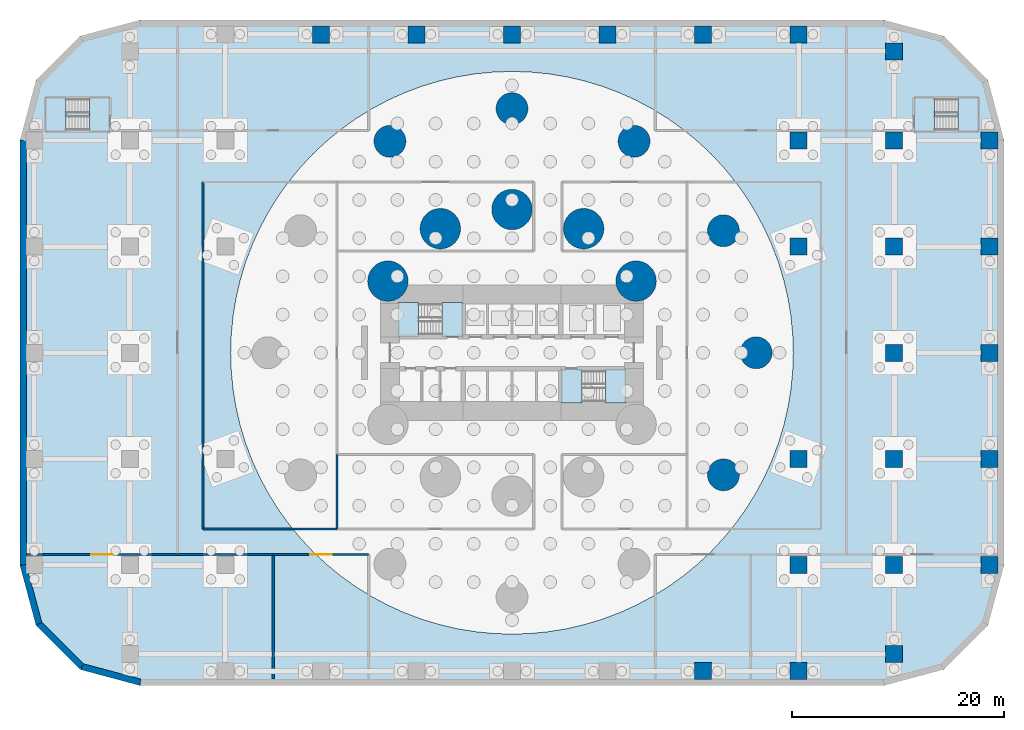
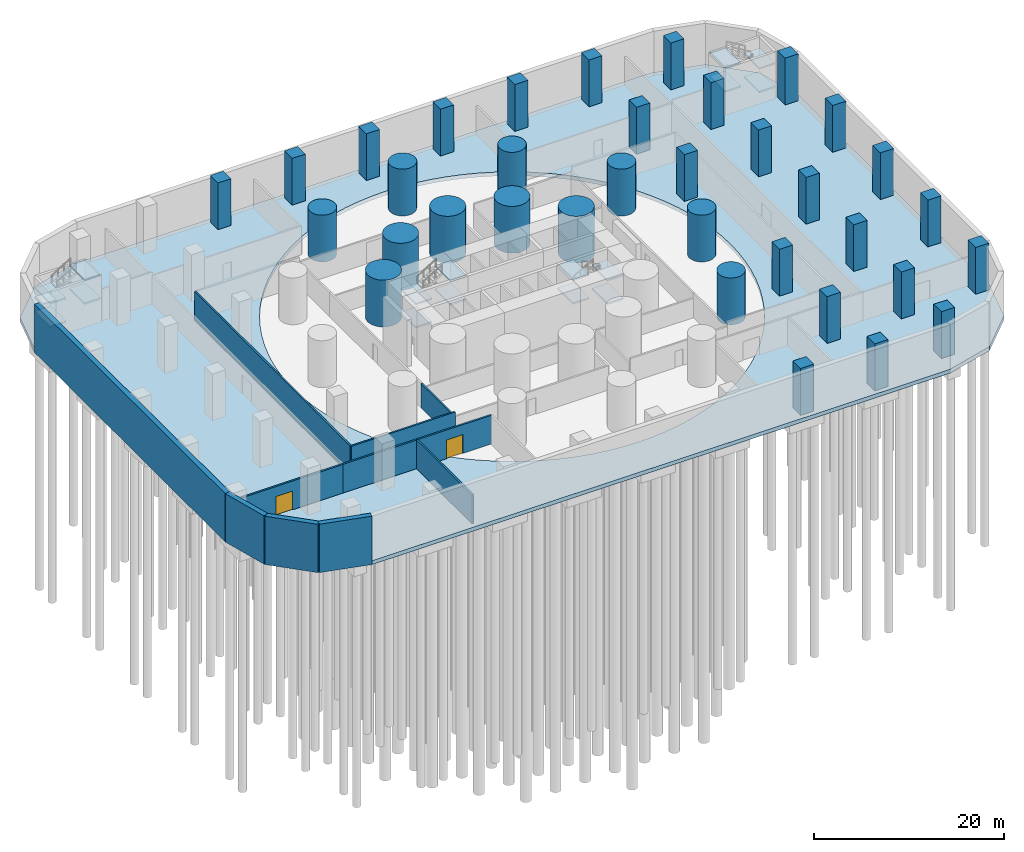
# One storey, part 3 of 10: 35 columns, 17 slabs, 11 walls, 2 doors, 2 openings, 4 elements without a shape of their own.
"""IFC4 building model written with IfcOpenShell, lengths in metres."""

from ifc_helpers import new_model, si_unit, direction, frame, frame_2d, origin, origin_2d, place, context, subcontext, project, spatial, polyline, rectangle, circle, outline, extrude, material, layer, layer_set, material_profile, profile_set, type_object, element, fill, aggregate, save


model = new_model("IFC4")

# Units and contexts
model_context = context("Model", 3, precision=1e-05, world=origin(), true_north=direction((0.0, 1.0)))
body_context = subcontext(model_context, "Body", "Model", "MODEL_VIEW")
ifc_project = project(units=[si_unit("LENGTHUNIT", "METRE"), si_unit("AREAUNIT", "SQUARE_METRE"), si_unit("VOLUMEUNIT", "CUBIC_METRE"), si_unit("PLANEANGLEUNIT", "RADIAN"), si_unit("MASSUNIT", "GRAM", prefix="KILO")], contexts=[model_context])

# Site, building, storey
site_placement = place(None, origin())
site = spatial("IfcSite", under=ifc_project, at=site_placement, CompositionType="ELEMENT")
building_placement = place(site_placement, origin())
building = spatial("IfcBuilding", under=site, at=building_placement, Name="Qaws Media Tower", CompositionType="ELEMENT")
storey_placement = place(building_placement, frame((0.0, 0.0, -6.0)))
storey = spatial("IfcBuildingStorey", under=building, at=storey_placement, Name="B1", CompositionType="ELEMENT", Elevation=-6.0)

# Columns
ifc_material_1 = material(Name="Concrete C70/85", Category="concrete")
ifc_material_profile_1 = material_profile(ifc_material_1, circle(Radius=1.5, at=origin_2d()), Name="RC D3000")
ifc_profile_set_1 = profile_set([ifc_material_profile_1], Name="Concrete C70/85")
column_type_1 = type_object("IfcColumnType", Name="Mega column RC D3000", PredefinedType="COLUMN", material=ifc_profile_set_1)
for number, where, z_axis, x_axis, name in (
    (1, (83.0, 50.0, 0.0), (0.0, 0.0, 1.0), (1.0, 0.0, 0.0), "MC1 mega column M01"),
    (2, (79.918701171875, 61.5, 0.0), (0.0, 0.0, 1.0), (1.0, 0.0, 0.0), "MC1 mega column M02"),
    (3, (71.5, 69.918701171875, 0.0), (0.0, 0.0, 1.0), (1.0, 0.0, 0.0), "MC1 mega column M03"),
    (4, (60.0, 73.0, 0.0), (0.0, 0.0, 1.0), (1.0, 0.0, 0.0), "MC1 mega column M04"),
    (5, (48.5, 69.918701171875, 0.0), (0.0, 0.0, 1.0), (1.0, 0.0, 0.0), "MC1 mega column M05"),
    (6, (79.918701171875, 38.5, 0.0), (0.0, 0.0, 1.0), (1.0, 0.0, 0.0), "MC1 mega column M12"),
):
    element("IfcColumn", number, at=place(storey_placement, frame(where, z_axis=z_axis, x_axis=x_axis)), inside=storey, type_object=column_type_1, Name=name, PredefinedType="COLUMN", context=body_context, shape_type="SweptSolid", body=[
        extrude(circle(Radius=1.5, at=origin_2d()), origin(), (0.0, 0.0, 1.0), 6.0),
    ])
ifc_material_2 = material(Name="Concrete C60/75", Category="concrete")
ifc_material_profile_2 = material_profile(ifc_material_2, rectangle(XDim=1.60009765625, YDim=1.60009765625, at=origin_2d()), Name="RC 1600x1600")
ifc_profile_set_2 = profile_set([ifc_material_profile_2], Name="Concrete C60/75")
column_type_2 = type_object("IfcColumnType", Name="Podium column RC 1600x1600", PredefinedType="COLUMN", material=ifc_profile_set_2)
for number, where, z_axis, x_axis, name in (
    (7, (78.0, 20.0, -0.5), (0.0, 0.0, 1.0), (1.0, 0.0, 0.0), "PC1 column 8/A"),
    (8, (87.0, 20.0, -0.5), (0.0, 0.0, 1.0), (1.0, 0.0, 0.0), "PC1 column 9/A"),
    (9, (96.0, 21.60009765625, -0.5), (0.0, 0.0, 1.0), (1.0, 0.0, 0.0), "PC1 column 10/A"),
    (10, (87.0, 30.0, -0.5), (0.0, 0.0, 1.0), (1.0, 0.0, 0.0), "PC1 column 9/B"),
    (11, (96.0, 30.0, -0.5), (0.0, 0.0, 1.0), (1.0, 0.0, 0.0), "PC1 column 10/B"),
    (12, (105.0, 30.0, -0.5), (0.0, 0.0, 1.0), (1.0, 0.0, 0.0), "PC1 column 11/B"),
    (13, (87.0, 40.0, -0.5), (0.0, 0.0, 1.0), (1.0, 0.0, 0.0), "PC1 column 9/C"),
    (14, (96.0, 40.0, -0.5), (0.0, 0.0, 1.0), (1.0, 0.0, 0.0), "PC1 column 10/C"),
    (15, (105.0, 40.0, -0.5), (0.0, 0.0, 1.0), (1.0, 0.0, 0.0), "PC1 column 11/C"),
    (16, (96.0, 50.0, -0.5), (0.0, 0.0, 1.0), (1.0, 0.0, 0.0), "PC1 column 10/D"),
    (17, (105.0, 50.0, -0.5), (0.0, 0.0, 1.0), (1.0, 0.0, 0.0), "PC1 column 11/D"),
    (18, (87.0, 60.0, -0.5), (0.0, 0.0, 1.0), (1.0, 0.0, 0.0), "PC1 column 9/E"),
    (19, (96.0, 60.0, -0.5), (0.0, 0.0, 1.0), (1.0, 0.0, 0.0), "PC1 column 10/E"),
    (20, (105.0, 60.0, -0.5), (0.0, 0.0, 1.0), (1.0, 0.0, 0.0), "PC1 column 11/E"),
    (21, (87.0, 70.0, -0.5), (0.0, 0.0, 1.0), (1.0, 0.0, 0.0), "PC1 column 9/F"),
    (22, (96.0, 70.0, -0.5), (0.0, 0.0, 1.0), (1.0, 0.0, 0.0), "PC1 column 10/F"),
    (23, (105.0, 70.0, -0.5), (0.0, 0.0, 1.0), (1.0, 0.0, 0.0), "PC1 column 11/F"),
    (24, (96.0, 78.39990234375, -0.5), (0.0, 0.0, 1.0), (1.0, 0.0, 0.0), "PC1 column 10/G"),
    (25, (42.0, 80.0, -0.5), (0.0, 0.0, 1.0), (1.0, 0.0, 0.0), "PC1 column 4/G"),
    (26, (51.0, 80.0, -0.5), (0.0, 0.0, 1.0), (1.0, 0.0, 0.0), "PC1 column 5/G"),
    (27, (60.0, 80.0, -0.5), (0.0, 0.0, 1.0), (1.0, 0.0, 0.0), "PC1 column 6/G"),
    (28, (69.0, 80.0, -0.5), (0.0, 0.0, 1.0), (1.0, 0.0, 0.0), "PC1 column 7/G"),
    (29, (78.0, 80.0, -0.5), (0.0, 0.0, 1.0), (1.0, 0.0, 0.0), "PC1 column 8/G"),
    (30, (87.0, 80.0, -0.5), (0.0, 0.0, 1.0), (1.0, 0.0, 0.0), "PC1 column 9/G"),
):
    element("IfcColumn", number, at=place(storey_placement, frame(where, z_axis=z_axis, x_axis=x_axis)), inside=storey, type_object=column_type_2, Name=name, PredefinedType="COLUMN", context=body_context, shape_type="SweptSolid", body=[
        extrude(rectangle(XDim=1.60009765625, YDim=1.60009765625, at=origin_2d()), origin(), (0.0, 0.0, 1.0), 6.5),
    ])
ifc_material_3 = material(Name="Concrete C70/85", Category="concrete")
ifc_material_profile_3 = material_profile(ifc_material_3, circle(Radius=1.89990234375, at=origin_2d()), Name="RC D3800")
ifc_profile_set_3 = profile_set([ifc_material_profile_3], Name="Concrete C70/85")
column_type_3 = type_object("IfcColumnType", Name="Podium inner column RC D3800", PredefinedType="COLUMN", material=ifc_profile_set_3)
for number, where, z_axis, x_axis, name in (
    (31, (71.69140625, 56.75, 0.0), (0.0, 0.0, 1.0), (1.0, 0.0, 0.0), "PC3 inner column I02"),
    (32, (66.75, 61.69140625, 0.0), (0.0, 0.0, 1.0), (1.0, 0.0, 0.0), "PC3 inner column I03"),
    (33, (60.0, 63.5, 0.0), (0.0, 0.0, 1.0), (1.0, 0.0, 0.0), "PC3 inner column I04"),
    (34, (53.25, 61.69140625, 0.0), (0.0, 0.0, 1.0), (1.0, 0.0, 0.0), "PC3 inner column I05"),
    (35, (48.30859375, 56.75, 0.0), (0.0, 0.0, 1.0), (1.0, 0.0, 0.0), "PC3 inner column I06"),
):
    element("IfcColumn", number, at=place(storey_placement, frame(where, z_axis=z_axis, x_axis=x_axis)), inside=storey, type_object=column_type_3, Name=name, PredefinedType="COLUMN", context=body_context, shape_type="SweptSolid", body=[
        extrude(circle(Radius=1.89990234375, at=origin_2d()), origin(), (0.0, 0.0, 1.0), 6.0),
    ])

# Slab
ifc_material_4 = material(Name="Concrete C40/50", Category="concrete")
ifc_layer_1 = layer(ifc_material_4, 0.5)
ifc_layer_set_1 = layer_set([ifc_layer_1], Name="Basement slab 500")
slab_type_1 = type_object("IfcSlabType", Name="Basement slab 500", PredefinedType="BASESLAB", material=ifc_layer_set_1)
slab_1_placement = place(storey_placement, frame((0.0, 0.0, -0.5)))
element("IfcSlab", 36, at=slab_1_placement, inside=storey, type_object=slab_type_1, Name="S5 basement slab B1", PredefinedType="BASESLAB", context=body_context, shape_type="SweptSolid", body=[
    extrude(outline(polyline([(25.0, 18.64990234375), (19.324951171875, 20.170654296875), (15.170654296875, 24.324951171875), (13.64990234375, 30.0), (13.64990234375, 70.0), (15.170654296875, 75.675048828125), (19.324951171875, 79.829345703125), (25.0, 81.35009765625), (95.0, 81.35009765625), (100.675048828125, 79.829345703125), (104.829345703125, 75.675048828125), (106.35009765625, 70.0), (106.35009765625, 30.0), (104.829345703125, 24.324951171875), (100.675048828125, 20.170654296875), (95.0, 18.64990234375), (25.0, 18.64990234375)]), holes=[polyline([(86.443359375, 51.733154296875), (86.273193359375, 53.458984375), (85.99072265625, 55.169921875), (85.596923828125, 56.858642578125), (85.093505859375, 58.51806640625), (84.48291015625, 60.14111328125), (83.76708984375, 61.720703125), (82.94970703125, 63.25), (82.033935546875, 64.72265625), (81.02392578125, 66.132080078125), (79.923828125, 67.47265625), (78.73828125, 68.73828125), (77.47265625, 69.923828125), (76.132080078125, 71.02392578125), (74.72265625, 72.033935546875), (73.25, 72.94970703125), (71.720703125, 73.76708984375), (70.14111328125, 74.48291015625), (68.51806640625, 75.093505859375), (66.858642578125, 75.596923828125), (65.169921875, 75.99072265625), (63.458984375, 76.273193359375), (61.733154296875, 76.443359375), (60.0, 76.5), (58.266845703125, 76.443359375), (56.541015625, 76.273193359375), (54.830078125, 75.99072265625), (53.141357421875, 75.596923828125), (51.48193359375, 75.093505859375), (49.85888671875, 74.48291015625), (48.279296875, 73.76708984375), (46.75, 72.94970703125), (45.27734375, 72.033935546875), (43.867919921875, 71.02392578125), (42.52734375, 69.923828125), (41.26171875, 68.73828125), (40.076171875, 67.47265625), (38.97607421875, 66.132080078125), (37.966064453125, 64.72265625), (37.05029296875, 63.25), (36.23291015625, 61.720703125), (35.51708984375, 60.14111328125), (34.906494140625, 58.51806640625), (34.403076171875, 56.858642578125), (34.00927734375, 55.169921875), (33.726806640625, 53.458984375), (33.556640625, 51.733154296875), (33.5, 50.0), (33.556640625, 48.266845703125), (33.726806640625, 46.541015625), (34.00927734375, 44.830078125), (34.403076171875, 43.141357421875), (34.906494140625, 41.48193359375), (35.51708984375, 39.85888671875), (36.23291015625, 38.279296875), (37.05029296875, 36.75), (37.966064453125, 35.27734375), (38.97607421875, 33.867919921875), (40.076171875, 32.52734375), (41.26171875, 31.26171875), (42.52734375, 30.076171875), (43.867919921875, 28.97607421875), (45.27734375, 27.966064453125), (46.75, 27.05029296875), (48.279296875, 26.23291015625), (49.85888671875, 25.51708984375), (51.48193359375, 24.906494140625), (53.141357421875, 24.403076171875), (54.830078125, 24.00927734375), (56.541015625, 23.726806640625), (58.266845703125, 23.556640625), (60.0, 23.5), (61.733154296875, 23.556640625), (63.458984375, 23.726806640625), (65.169921875, 24.00927734375), (66.858642578125, 24.403076171875), (68.51806640625, 24.906494140625), (70.14111328125, 25.51708984375), (71.720703125, 26.23291015625), (73.25, 27.05029296875), (74.72265625, 27.966064453125), (76.132080078125, 28.97607421875), (77.47265625, 30.076171875), (78.73828125, 31.26171875), (79.923828125, 32.52734375), (81.02392578125, 33.867919921875), (82.033935546875, 35.27734375), (82.94970703125, 36.75), (83.76708984375, 38.279296875), (84.48291015625, 39.85888671875), (85.093505859375, 41.48193359375), (85.596923828125, 43.141357421875), (85.99072265625, 44.830078125), (86.273193359375, 46.541015625), (86.443359375, 48.266845703125), (86.5, 50.0), (86.443359375, 51.733154296875)])]), origin(), (0.0, 0.0, 1.0), 0.5),
])

# Stair, slabs
ifc_material_5 = material(Name="Concrete C40/50", Category="concrete")
stair_type = type_object("IfcStairType", Name="Exit stair", PredefinedType="HALF_TURN_STAIR", material=ifc_material_5)
stair_1_placement = place(storey_placement, origin())
stair_1 = element("IfcStair", 37, at=stair_1_placement, inside=storey, type_object=stair_type, Name="S1 exit stair B1", PredefinedType="HALF_TURN_STAIR")
ifc_material_6 = material(Name="Concrete C40/50", Category="concrete")
ifc_layer_2 = layer(ifc_material_6, 0.199951171875)
ifc_layer_set_2 = layer_set([ifc_layer_2], Name="Stair landing 200")
slab_type_2 = type_object("IfcSlabType", Name="Stair landing 200", PredefinedType="LANDING", material=ifc_layer_set_2)
slab_2_placement = place(storey_placement, frame((0.0, 0.0, 1.300048828125)))
slab_2 = element("IfcSlab", 38, at=slab_2_placement, type_object=slab_type_2, Name="S1 landing 1", PredefinedType="LANDING", context=body_context, shape_type="SweptSolid", body=[
    extrude(outline(polyline([(49.25, 51.550048828125), (51.179931640625, 51.550048828125), (51.179931640625, 54.75), (49.25, 54.75), (49.25, 51.550048828125)])), origin(), (0.0, 0.0, 1.0), 0.199951171875),
])
slab_3_placement = place(storey_placement, frame((0.0, 0.0, 2.800048828125)))
slab_3 = element("IfcSlab", 39, at=slab_3_placement, type_object=slab_type_2, Name="S1 landing 2", PredefinedType="LANDING", context=body_context, shape_type="SweptSolid", body=[
    extrude(outline(polyline([(53.419921875, 51.550048828125), (55.35009765625, 51.550048828125), (55.35009765625, 54.75), (53.419921875, 54.75), (53.419921875, 51.550048828125)])), origin(), (0.0, 0.0, 1.0), 0.199951171875),
])
slab_4_placement = place(storey_placement, frame((0.0, 0.0, 4.300048828125)))
slab_4 = element("IfcSlab", 40, at=slab_4_placement, type_object=slab_type_2, Name="S1 landing 3", PredefinedType="LANDING", context=body_context, shape_type="SweptSolid", body=[
    extrude(outline(polyline([(49.25, 51.550048828125), (51.179931640625, 51.550048828125), (51.179931640625, 54.75), (49.25, 54.75), (49.25, 51.550048828125)])), origin(), (0.0, 0.0, 1.0), 0.199951171875),
])
slab_5_placement = place(storey_placement, frame((0.0, 0.0, 5.800048828125)))
slab_5 = element("IfcSlab", 41, at=slab_5_placement, type_object=slab_type_2, Name="S1 landing 4", PredefinedType="LANDING", context=body_context, shape_type="SweptSolid", body=[
    extrude(outline(polyline([(53.419921875, 51.550048828125), (55.35009765625, 51.550048828125), (55.35009765625, 54.75), (53.419921875, 54.75), (53.419921875, 51.550048828125)])), origin(), (0.0, 0.0, 1.0), 0.199951171875),
])
aggregate(stair_1, [slab_2, slab_3, slab_4, slab_5])

stair_2_placement = place(storey_placement, origin())
stair_2 = element("IfcStair", 42, at=stair_2_placement, inside=storey, type_object=stair_type, Name="S2 exit stair B1", PredefinedType="HALF_TURN_STAIR")
slab_6_placement = place(storey_placement, frame((0.0, 0.0, 1.300048828125)))
slab_6 = element("IfcSlab", 43, at=slab_6_placement, type_object=slab_type_2, Name="S2 landing 1", PredefinedType="LANDING", context=body_context, shape_type="SweptSolid", body=[
    extrude(outline(polyline([(68.820068359375, 45.25), (70.75, 45.25), (70.75, 48.449951171875), (68.820068359375, 48.449951171875), (68.820068359375, 45.25)])), origin(), (0.0, 0.0, 1.0), 0.199951171875),
])
slab_7_placement = place(storey_placement, frame((0.0, 0.0, 2.800048828125)))
slab_7 = element("IfcSlab", 44, at=slab_7_placement, type_object=slab_type_2, Name="S2 landing 2", PredefinedType="LANDING", context=body_context, shape_type="SweptSolid", body=[
    extrude(outline(polyline([(64.64990234375, 45.25), (66.580078125, 45.25), (66.580078125, 48.449951171875), (64.64990234375, 48.449951171875), (64.64990234375, 45.25)])), origin(), (0.0, 0.0, 1.0), 0.199951171875),
])
slab_8_placement = place(storey_placement, frame((0.0, 0.0, 4.300048828125)))
slab_8 = element("IfcSlab", 45, at=slab_8_placement, type_object=slab_type_2, Name="S2 landing 3", PredefinedType="LANDING", context=body_context, shape_type="SweptSolid", body=[
    extrude(outline(polyline([(68.820068359375, 45.25), (70.75, 45.25), (70.75, 48.449951171875), (68.820068359375, 48.449951171875), (68.820068359375, 45.25)])), origin(), (0.0, 0.0, 1.0), 0.199951171875),
])
slab_9_placement = place(storey_placement, frame((0.0, 0.0, 5.800048828125)))
slab_9 = element("IfcSlab", 46, at=slab_9_placement, type_object=slab_type_2, Name="S2 landing 4", PredefinedType="LANDING", context=body_context, shape_type="SweptSolid", body=[
    extrude(outline(polyline([(64.64990234375, 45.25), (66.580078125, 45.25), (66.580078125, 48.449951171875), (64.64990234375, 48.449951171875), (64.64990234375, 45.25)])), origin(), (0.0, 0.0, 1.0), 0.199951171875),
])
aggregate(stair_2, [slab_6, slab_7, slab_8, slab_9])

stair_3_placement = place(storey_placement, origin())
stair_3 = element("IfcStair", 47, at=stair_3_placement, inside=storey, type_object=stair_type, Name="S3 exit stair B1", PredefinedType="HALF_TURN_STAIR")
slab_10_placement = place(storey_placement, frame((0.0, 0.0, 1.300048828125)))
slab_10 = element("IfcSlab", 48, at=slab_10_placement, type_object=slab_type_2, Name="S3 landing 1", PredefinedType="LANDING", context=body_context, shape_type="SweptSolid", body=[
    extrude(outline(polyline([(16.050048828125, 70.85009765625), (17.97998046875, 70.85009765625), (17.97998046875, 74.050048828125), (16.050048828125, 74.050048828125), (16.050048828125, 70.85009765625)])), origin(), (0.0, 0.0, 1.0), 0.199951171875),
])
slab_11_placement = place(storey_placement, frame((0.0, 0.0, 2.800048828125)))
slab_11 = element("IfcSlab", 49, at=slab_11_placement, type_object=slab_type_2, Name="S3 landing 2", PredefinedType="LANDING", context=body_context, shape_type="SweptSolid", body=[
    extrude(outline(polyline([(20.219970703125, 70.85009765625), (22.14990234375, 70.85009765625), (22.14990234375, 74.050048828125), (20.219970703125, 74.050048828125), (20.219970703125, 70.85009765625)])), origin(), (0.0, 0.0, 1.0), 0.199951171875),
])
slab_12_placement = place(storey_placement, frame((0.0, 0.0, 4.300048828125)))
slab_12 = element("IfcSlab", 50, at=slab_12_placement, type_object=slab_type_2, Name="S3 landing 3", PredefinedType="LANDING", context=body_context, shape_type="SweptSolid", body=[
    extrude(outline(polyline([(16.050048828125, 70.85009765625), (17.97998046875, 70.85009765625), (17.97998046875, 74.050048828125), (16.050048828125, 74.050048828125), (16.050048828125, 70.85009765625)])), origin(), (0.0, 0.0, 1.0), 0.199951171875),
])
slab_13_placement = place(storey_placement, frame((0.0, 0.0, 5.800048828125)))
slab_13 = element("IfcSlab", 51, at=slab_13_placement, type_object=slab_type_2, Name="S3 landing 4", PredefinedType="LANDING", context=body_context, shape_type="SweptSolid", body=[
    extrude(outline(polyline([(20.219970703125, 70.85009765625), (22.14990234375, 70.85009765625), (22.14990234375, 74.050048828125), (20.219970703125, 74.050048828125), (20.219970703125, 70.85009765625)])), origin(), (0.0, 0.0, 1.0), 0.199951171875),
])
aggregate(stair_3, [slab_10, slab_11, slab_12, slab_13])

stair_4_placement = place(storey_placement, origin())
stair_4 = element("IfcStair", 52, at=stair_4_placement, inside=storey, type_object=stair_type, Name="S4 exit stair B1", PredefinedType="HALF_TURN_STAIR")
slab_14_placement = place(storey_placement, frame((0.0, 0.0, 1.300048828125)))
slab_14 = element("IfcSlab", 53, at=slab_14_placement, type_object=slab_type_2, Name="S4 landing 1", PredefinedType="LANDING", context=body_context, shape_type="SweptSolid", body=[
    extrude(outline(polyline([(102.02001953125, 70.85009765625), (103.949951171875, 70.85009765625), (103.949951171875, 74.050048828125), (102.02001953125, 74.050048828125), (102.02001953125, 70.85009765625)])), origin(), (0.0, 0.0, 1.0), 0.199951171875),
])
slab_15_placement = place(storey_placement, frame((0.0, 0.0, 2.800048828125)))
slab_15 = element("IfcSlab", 54, at=slab_15_placement, type_object=slab_type_2, Name="S4 landing 2", PredefinedType="LANDING", context=body_context, shape_type="SweptSolid", body=[
    extrude(outline(polyline([(97.85009765625, 70.85009765625), (99.780029296875, 70.85009765625), (99.780029296875, 74.050048828125), (97.85009765625, 74.050048828125), (97.85009765625, 70.85009765625)])), origin(), (0.0, 0.0, 1.0), 0.199951171875),
])
slab_16_placement = place(storey_placement, frame((0.0, 0.0, 4.300048828125)))
slab_16 = element("IfcSlab", 55, at=slab_16_placement, type_object=slab_type_2, Name="S4 landing 3", PredefinedType="LANDING", context=body_context, shape_type="SweptSolid", body=[
    extrude(outline(polyline([(102.02001953125, 70.85009765625), (103.949951171875, 70.85009765625), (103.949951171875, 74.050048828125), (102.02001953125, 74.050048828125), (102.02001953125, 70.85009765625)])), origin(), (0.0, 0.0, 1.0), 0.199951171875),
])
slab_17_placement = place(storey_placement, frame((0.0, 0.0, 5.800048828125)))
slab_17 = element("IfcSlab", 56, at=slab_17_placement, type_object=slab_type_2, Name="S4 landing 4", PredefinedType="LANDING", context=body_context, shape_type="SweptSolid", body=[
    extrude(outline(polyline([(97.85009765625, 70.85009765625), (99.780029296875, 70.85009765625), (99.780029296875, 74.050048828125), (97.85009765625, 74.050048828125), (97.85009765625, 70.85009765625)])), origin(), (0.0, 0.0, 1.0), 0.199951171875),
])
aggregate(stair_4, [slab_14, slab_15, slab_16, slab_17])

# Wall
ifc_material_7 = material(Name="215 dense concrete blockwork, fair faced", Category="masonry")
ifc_layer_3 = layer(ifc_material_7, 0.215087890625)
ifc_layer_set_3 = layer_set([ifc_layer_3], Name="Plant room blockwork wall 215")
wall_type_1 = type_object("IfcWallType", Name="Plant room blockwork wall 215", PredefinedType="PARTITIONING", material=ifc_layer_set_3)
wall_1_placement = place(storey_placement, frame((37.5, 19.2548828125, 0.0), z_axis=(0.0, 0.0, 1.0), x_axis=(0.0, 1.0, 0.0)))
element("IfcWall", 57, at=wall_1_placement, inside=storey, type_object=wall_type_1, Name="W736 IW7 partition B1", PredefinedType="PARTITIONING", context=body_context, shape_type="SweptSolid", body=[
    extrude(rectangle(XDim=11.7451171875, YDim=0.215087890625, at=frame_2d((5.87255859375, 0.0))), origin(), (0.0, 0.0, 1.0), 3.679931640625),
])

# Wall, opening, door
wall_2_placement = place(storey_placement, frame((14.2548828125, 31.0, 0.0), z_axis=(0.0, 0.0, 1.0), x_axis=(1.0, 0.0, 0.0)))
wall_2 = element("IfcWall", 58, at=wall_2_placement, inside=storey, type_object=wall_type_1, Name="W732 IW7 partition B1", PredefinedType="PARTITIONING", context=body_context, shape_type="SweptSolid", body=[
    extrude(rectangle(XDim=14.2451171875, YDim=0.215087890625, at=frame_2d((7.12255859375, 0.0))), origin(), (0.0, 0.0, 1.0), 3.679931640625),
])
opening_1_placement = place(wall_2_placement, frame((6.12255859375, 0.0, 0.0)))
opening_1 = element("IfcOpeningElement", 59, at=opening_1_placement, cuts=wall_2, Name="Opening D19", PredefinedType="OPENING", context=body_context, shape_type="SweptSolid", body=[
    extrude(rectangle(XDim=2.0, YDim=2.39990234375, at=frame_2d((1.0, 1.199951171875))), frame((0.0, 0.117431640625, 0.0), z_axis=(0.0, -1.0, 0.0), x_axis=(1.0, 0.0, 0.0)), (0.0, 0.0, 1.0), 0.235107421875),
])
ifc_material_8 = material(Name="Steel, fire rated, louvred", Category="steel")
door_type = type_object("IfcDoorType", Name="Plant room door pair 2000x2400", OperationType="DOUBLE_DOOR_DOUBLE_SWING", PredefinedType="DOOR", material=ifc_material_8)
door_1_placement = place(opening_1_placement, origin())
door_1 = element("IfcDoor", 60, at=door_1_placement, inside=storey, type_object=door_type, Name="D19 Generator room door in wall W732", OperationType="DOUBLE_DOOR_DOUBLE_SWING", OverallHeight=2.39990234375, OverallWidth=2.0, PredefinedType="DOOR", context=body_context, shape_type="SweptSolid", body=[
    extrude(rectangle(XDim=2.0, YDim=2.39990234375, at=frame_2d((1.0, 1.199951171875))), frame((0.0, 0.02490234375, 0.0), z_axis=(0.0, -1.0, 0.0), x_axis=(1.0, 0.0, 0.0)), (0.0, 0.0, 1.0), 0.050048828125),
])
fill(opening_1, door_1)

# Wall
wall_3_placement = place(storey_placement, frame((28.5, 31.0, 0.0), z_axis=(0.0, 0.0, 1.0), x_axis=(1.0, 0.0, 0.0)))
element("IfcWall", 61, at=wall_3_placement, inside=storey, type_object=wall_type_1, Name="W734 IW7 partition B1", PredefinedType="PARTITIONING", context=body_context, shape_type="SweptSolid", body=[
    extrude(rectangle(XDim=9.0, YDim=0.215087890625, at=frame_2d((4.5, 0.0))), origin(), (0.0, 0.0, 1.0), 3.679931640625),
])

# Wall, opening, door
wall_4_placement = place(storey_placement, frame((37.5, 31.0, 0.0), z_axis=(0.0, 0.0, 1.0), x_axis=(1.0, 0.0, 0.0)))
wall_4 = element("IfcWall", 62, at=wall_4_placement, inside=storey, type_object=wall_type_1, Name="W737 IW7 partition B1", PredefinedType="PARTITIONING", context=body_context, shape_type="SweptSolid", body=[
    extrude(rectangle(XDim=9.0, YDim=0.215087890625, at=frame_2d((4.5, 0.0))), origin(), (0.0, 0.0, 1.0), 3.679931640625),
])
opening_2_placement = place(wall_4_placement, frame((3.5, 0.0, 0.0)))
opening_2 = element("IfcOpeningElement", 63, at=opening_2_placement, cuts=wall_4, Name="Opening D19", PredefinedType="OPENING", context=body_context, shape_type="SweptSolid", body=[
    extrude(rectangle(XDim=2.0, YDim=2.39990234375, at=frame_2d((1.0, 1.199951171875))), frame((0.0, 0.117431640625, 0.0), z_axis=(0.0, -1.0, 0.0), x_axis=(1.0, 0.0, 0.0)), (0.0, 0.0, 1.0), 0.235107421875),
])
door_2_placement = place(opening_2_placement, origin())
door_2 = element("IfcDoor", 64, at=door_2_placement, inside=storey, type_object=door_type, Name="D19 Transformer room door in wall W737", OperationType="DOUBLE_DOOR_DOUBLE_SWING", OverallHeight=2.39990234375, OverallWidth=2.0, PredefinedType="DOOR", context=body_context, shape_type="SweptSolid", body=[
    extrude(rectangle(XDim=2.0, YDim=2.39990234375, at=frame_2d((1.0, 1.199951171875))), frame((0.0, 0.02490234375, 0.0), z_axis=(0.0, -1.0, 0.0), x_axis=(1.0, 0.0, 0.0)), (0.0, 0.0, 1.0), 0.050048828125),
])
fill(opening_2, door_2)

# Walls
ifc_material_9 = material(Name="Concrete C60/75", Category="concrete")
ifc_layer_4 = layer(ifc_material_9, 0.60009765625)
ifc_layer_set_4 = layer_set([ifc_layer_4], Name="Retaining wall 600")
wall_type_2 = type_object("IfcWallType", Name="Retaining wall 600", PredefinedType="SOLIDWALL", material=ifc_layer_set_4)
wall_5_placement = place(storey_placement, frame((13.949951171875, 70.0, -0.5), z_axis=(0.0, 0.0, 1.0), x_axis=(0.0, -1.0, 0.0)))
element("IfcWall", 65, at=wall_5_placement, inside=storey, type_object=wall_type_2, Name="W796 RW1 retaining wall 12", PredefinedType="SOLIDWALL", context=body_context, shape_type="SweptSolid", body=[
    extrude(rectangle(XDim=40.0, YDim=0.60009765625, at=frame_2d((20.0, 0.0))), origin(), (0.0, 0.0, 1.0), 6.199951171875),
])
wall_6_placement = place(storey_placement, frame((13.949951171875, 30.0, -0.5), z_axis=(0.0, 0.0, 1.0), x_axis=(0.258831381584, -0.965922520654, 0.0)))
element("IfcWall", 66, at=wall_6_placement, inside=storey, type_object=wall_type_2, Name="W795 RW1 retaining wall 13", PredefinedType="SOLIDWALL", context=body_context, shape_type="SweptSolid", body=[
    extrude(rectangle(XDim=5.7197265625, YDim=0.60009765625, at=frame_2d((2.85986328125, 0.0))), origin(), (0.0, 0.0, 1.0), 6.199951171875),
])
wall_7_placement = place(storey_placement, frame((15.430419921875, 24.47509765625, -0.5), z_axis=(0.0, 0.0, 1.0), x_axis=(0.707106781187, -0.707106781187, 0.0)))
element("IfcWall", 67, at=wall_7_placement, inside=storey, type_object=wall_type_2, Name="W797 RW1 retaining wall 14", PredefinedType="SOLIDWALL", context=body_context, shape_type="SweptSolid", body=[
    extrude(rectangle(XDim=5.719970703125, YDim=0.60009765625, at=frame_2d((2.85986328125, 0.0))), origin(), (0.0, 0.0, 1.0), 6.199951171875),
])
wall_8_placement = place(storey_placement, frame((19.47509765625, 20.430419921875, -0.5), z_axis=(0.0, 0.0, 1.0), x_axis=(0.965922520654, -0.258831381584, 0.0)))
element("IfcWall", 68, at=wall_8_placement, inside=storey, type_object=wall_type_2, Name="W799 RW1 retaining wall 15", PredefinedType="SOLIDWALL", context=body_context, shape_type="SweptSolid", body=[
    extrude(rectangle(XDim=5.7197265625, YDim=0.60009765625, at=frame_2d((2.85986328125, 0.0))), origin(), (0.0, 0.0, 1.0), 6.199951171875),
])
ifc_material_10 = material(Name="Gypsum board on galvanised metal studs, acoustic double stud, deflection head", Category="gypsum")
ifc_layer_5 = layer(ifc_material_10, 0.199951171875)
ifc_layer_set_5 = layer_set([ifc_layer_5], Name="Room partition 200")
wall_type_3 = type_object("IfcWallType", Name="Room partition 200", PredefinedType="PARTITIONING", material=ifc_layer_set_5)
wall_9_placement = place(storey_placement, frame((30.89990234375, 33.39990234375, 0.0), z_axis=(0.0, 0.0, 1.0), x_axis=(0.0, 1.0, 0.0)))
element("IfcWall", 69, at=wall_9_placement, inside=storey, type_object=wall_type_3, Name="W814 IW3 partition B1", PredefinedType="PARTITIONING", context=body_context, shape_type="SweptSolid", body=[
    extrude(rectangle(XDim=32.7001953125, YDim=0.199951171875, at=frame_2d((16.35009765625, 0.0))), origin(), (0.0, 0.0, 1.0), 3.679931640625),
])
wall_10_placement = place(storey_placement, frame((43.5, 33.39990234375, 0.0), z_axis=(0.0, 0.0, 1.0), x_axis=(0.0, 1.0, 0.0)))
element("IfcWall", 70, at=wall_10_placement, inside=storey, type_object=wall_type_3, Name="W817 IW3 partition B1", PredefinedType="PARTITIONING", context=body_context, shape_type="SweptSolid", body=[
    extrude(rectangle(XDim=7.0, YDim=0.199951171875, at=frame_2d((3.5, 0.0))), origin(), (0.0, 0.0, 1.0), 3.080078125),
])
wall_11_placement = place(storey_placement, frame((30.89990234375, 33.39990234375, 0.0), z_axis=(0.0, 0.0, 1.0), x_axis=(1.0, 0.0, 0.0)))
element("IfcWall", 71, at=wall_11_placement, inside=storey, type_object=wall_type_3, Name="W815 IW3 partition B1", PredefinedType="PARTITIONING", context=body_context, shape_type="SweptSolid", body=[
    extrude(rectangle(XDim=12.60009765625, YDim=0.199951171875, at=frame_2d((6.300048828125, 0.0))), origin(), (0.0, 0.0, 1.0), 3.679931640625),
])

save(model, "model.ifc")
